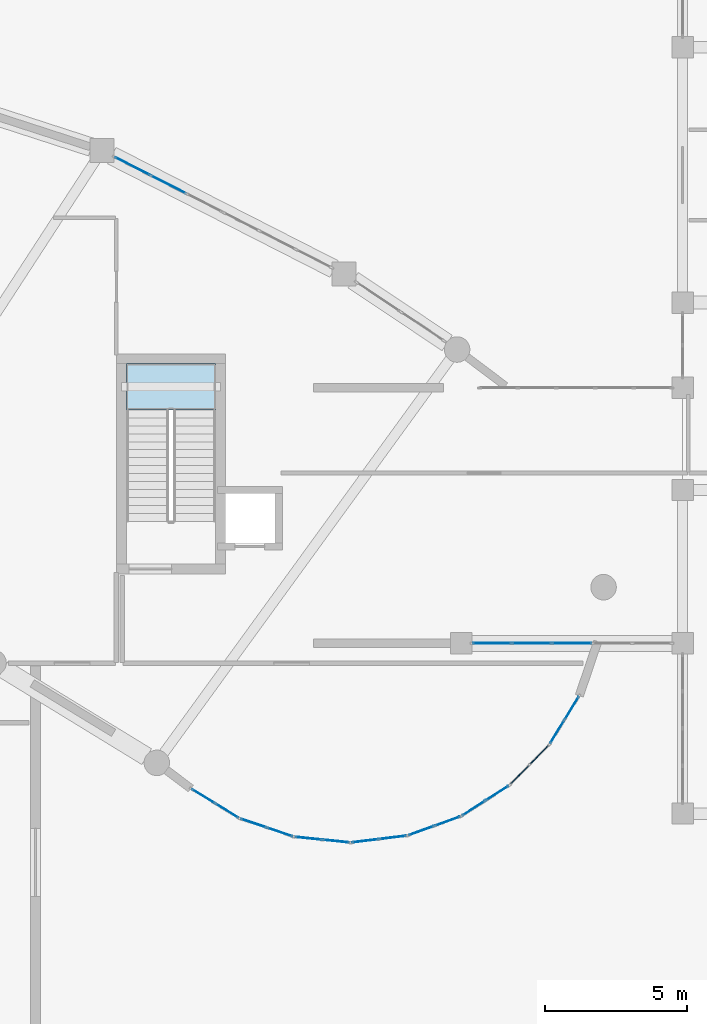
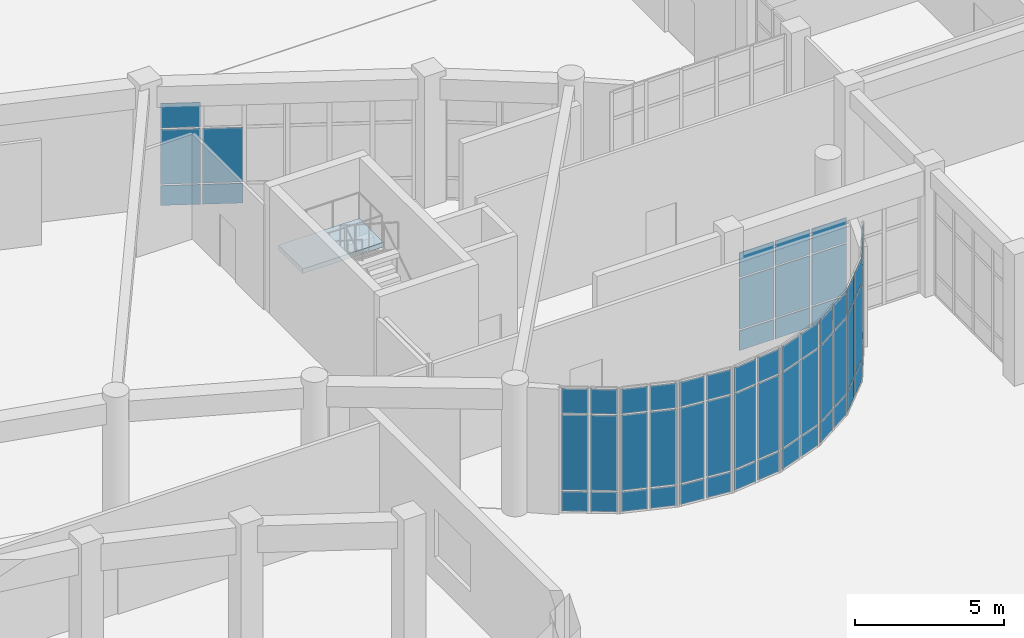
# One storey, part 40 of 70: 62 plates, 1 slab, 11 elements without a shape of their own.
"""IFC4 building model written with IfcOpenShell, lengths in metres."""

import ifcopenshell
import ifcopenshell.guid

model = None  # the IFC model being written
_history = None  # IfcOwnerHistory: only IFC2X3 demands one
_inside = {}  # id of a spatial element -> (the spatial element, [elements in it])
_under = {}  # id of a project, library or spatial element -> (it, [spatial elements below it])
_declared = {}  # id of a project -> (the project, [libraries it declares])
_typed = {}  # id of a type object -> (the type object, [elements of that type])
_made_of = {}  # id of a material, layer set ... -> (it, [elements and type objects made of it])


def new_model(schema):
    """Start an empty IFC model of exactly this schema.

    Asked for "IFC4X3", IfcOpenShell would pick the latest addendum, in which some entities
    have other attributes; the version numbers below select the first issue.
    IFC2X3 requires an IfcOwnerHistory on every rooted entity: one is made here for all.
    """
    global model, _history
    if schema == "IFC4X3":
        model = ifcopenshell.file(schema_version=(4, 3, 0, 0))
    else:
        model = ifcopenshell.file(schema=schema)
    _inside.clear()
    _under.clear()
    _declared.clear()
    _typed.clear()
    _made_of.clear()
    _history = None
    if model.schema == "IFC2X3":
        org = make("IfcOrganization", Name="unknown")
        user = make(
            "IfcPersonAndOrganization",
            ThePerson=make("IfcPerson", FamilyName="unknown"),
            TheOrganization=org,
        )
        app = make(
            "IfcApplication",
            ApplicationDeveloper=org,
            Version="unknown",
            ApplicationFullName="unknown",
            ApplicationIdentifier="unknown",
        )
        _history = make(
            "IfcOwnerHistory",
            OwningUser=user,
            OwningApplication=app,
            ChangeAction="ADDED",
            CreationDate=0,
        )
    return model


def make(cls, **values):
    """One entity of the class cls with the attributes given. An attribute that is None is left unset."""
    return model.create_entity(
        cls, **{name: value for name, value in values.items() if value is not None}
    )


def rooted(cls, **values):
    """An entity with a GlobalId (a new one), such as an element, a storey or a relation."""
    return make(cls, GlobalId=ifcopenshell.guid.new(), OwnerHistory=_history, **values)


def si_unit(unit_type, name, prefix=None):
    """IfcSIUnit, for example si_unit("LENGTHUNIT", "METRE", prefix="MILLI")."""
    return make("IfcSIUnit", UnitType=unit_type, Prefix=prefix, Name=name)


def assignment(units):
    """IfcUnitAssignment: the units of a project."""
    return None if units is None else make("IfcUnitAssignment", Units=units)


def point(xyz):
    """IfcCartesianPoint."""
    return None if xyz is None else make("IfcCartesianPoint", Coordinates=xyz)


def direction(xyz):
    """IfcDirection."""
    return None if xyz is None else make("IfcDirection", DirectionRatios=xyz)


def frame(location, z_axis=None, x_axis=None):
    """IfcAxis2Placement3D, a coordinate frame: its origin and axes. An axis left out is left unset."""
    return make(
        "IfcAxis2Placement3D",
        Location=point(location),
        Axis=direction(z_axis),
        RefDirection=direction(x_axis),
    )


def frame_2d(location, x_axis=None):
    """IfcAxis2Placement2D, a coordinate frame in the plane: its origin and x axis."""
    return make(
        "IfcAxis2Placement2D", Location=point(location), RefDirection=direction(x_axis)
    )


def origin():
    """The frame at (0, 0, 0) with its axes left unset."""
    return frame((0.0, 0.0, 0.0))


def origin_2d():
    """The frame at (0, 0) in the plane with its x axis left unset."""
    return frame_2d((0.0, 0.0))


def place(relative_to, where):
    """IfcLocalPlacement: puts the frame where relative to a parent placement (None: the world)."""
    return make(
        "IfcLocalPlacement", PlacementRelTo=relative_to, RelativePlacement=where
    )


def context(
    kind, dimensions, precision=None, world=None, true_north=None, identifier=None
):
    """IfcGeometricRepresentationContext, for example the 3D "Model" context."""
    return make(
        "IfcGeometricRepresentationContext",
        ContextIdentifier=identifier,
        ContextType=kind,
        CoordinateSpaceDimension=dimensions,
        Precision=precision,
        WorldCoordinateSystem=world,
        TrueNorth=true_north,
    )


def subcontext(parent, identifier, kind, view, scale=None):
    """IfcGeometricRepresentationSubContext, for example "Body" below "Model"."""
    return make(
        "IfcGeometricRepresentationSubContext",
        ContextIdentifier=identifier,
        ContextType=kind,
        ParentContext=parent,
        TargetScale=scale,
        TargetView=view,
    )


def project(units=None, contexts=None):
    """IfcProject with its units and contexts."""
    return rooted(
        "IfcProject",
        Name="project",
        RepresentationContexts=contexts,
        UnitsInContext=assignment(units),
    )


def spatial(cls, under=None, at=None, **own):
    """A site, building, storey or space (cls), placed at a placement, below another one or the project."""
    s = rooted(cls, ObjectPlacement=at, **own)
    if under is not None:
        _under.setdefault(under.id(), (under, []))[1].append(s)
    return s


def polyline(points):
    """IfcPolyline through the points."""
    return make("IfcPolyline", Points=[point(p) for p in points])


def profile(cls, at=None, kind="AREA", **sizes):
    """A parametric profile (cls). Its sizes go by their IFC names, for example OverallWidth=200.0."""
    return make(cls, ProfileType=kind, Position=at, **sizes)


def rectangle(**sizes):
    """IfcRectangleProfileDef."""
    return profile("IfcRectangleProfileDef", **sizes)


def outline(outer, holes=None, kind="AREA"):
    """IfcArbitraryClosedProfileDef: a profile drawn as a closed curve; with holes, ...WithVoids."""
    if holes is None:
        return make("IfcArbitraryClosedProfileDef", ProfileType=kind, OuterCurve=outer)
    return make(
        "IfcArbitraryProfileDefWithVoids",
        ProfileType=kind,
        OuterCurve=outer,
        InnerCurves=holes,
    )


def extrude(swept, where, along, depth):
    """IfcExtrudedAreaSolid: the profile swept, set in the frame where, extruded along a direction by depth."""
    return make(
        "IfcExtrudedAreaSolid",
        SweptArea=swept,
        Position=where,
        ExtrudedDirection=direction(along),
        Depth=depth,
    )


def shape(context_of_items, identifier, shape_type, items):
    """IfcShapeRepresentation: the items that make up one representation, for example the "Body"."""
    return make(
        "IfcShapeRepresentation",
        ContextOfItems=context_of_items,
        RepresentationIdentifier=identifier,
        RepresentationType=shape_type,
        Items=items,
    )


def material(Name=None, Category=None):
    """IfcMaterial."""
    return make("IfcMaterial", Name=Name, Category=Category)


def layer(
    of_material, thickness, ventilated=None, Name=None, Category=None, Priority=None
):
    """IfcMaterialLayer: one layer of a wall or slab, of a material (None: an air gap)."""
    return make(
        "IfcMaterialLayer",
        Material=of_material,
        LayerThickness=thickness,
        IsVentilated=ventilated,
        Name=Name,
        Category=Category,
        Priority=Priority,
    )


def layer_set(layers, Name=None):
    """IfcMaterialLayerSet."""
    return make("IfcMaterialLayerSet", MaterialLayers=layers, LayerSetName=Name)


def made_of(thing, what):
    """Note that an element or type object is made of a material, layer set ...; save() writes the relation."""
    if what is not None:
        _made_of.setdefault(what.id(), (what, []))[1].append(thing)
    return thing


def type_object(cls, material=None, **own):
    """A type object (cls), such as IfcWallType, which elements share."""
    return made_of(rooted(cls, **own), material)


def element(
    cls,
    number,
    at=None,
    inside=None,
    cuts=None,
    type_object=None,
    material=None,
    context=None,
    identifier="Body",
    shape_type=None,
    held_by="IfcProductDefinitionShape",
    body=None,
    shapes=None,
    **own,
):
    """One element of the class cls, such as IfcWall. Its Tag is "e" and its number.

    at: its placement. inside: the storey or other place that contains it. cuts: it is an
    opening in that element (IfcRelVoidsElement). A single representation is given by context,
    identifier, shape_type and body (its items); several are given by shapes. held_by: the class
    of the entity that holds the representations. save() writes the other relations.
    """
    e = rooted(cls, Tag="e%d" % number, ObjectPlacement=at, **own)
    if body is not None:
        shapes = [shape(context, identifier, shape_type, body)]
    if shapes is not None:
        e.Representation = make(held_by, Representations=shapes)
    if inside is not None:
        _inside.setdefault(inside.id(), (inside, []))[1].append(e)
    if cuts is not None:
        rooted(
            "IfcRelVoidsElement", RelatingBuildingElement=cuts, RelatedOpeningElement=e
        )
    if type_object is not None:
        _typed.setdefault(type_object.id(), (type_object, []))[1].append(e)
    return made_of(e, material)


def aggregate(whole, parts):
    """IfcRelAggregates: a whole, such as a stair, and the parts it consists of."""
    return rooted("IfcRelAggregates", RelatingObject=whole, RelatedObjects=parts)


def save(model, path):
    """Write the relations noted so far, then the file.

    IfcRelAggregates (storeys below a building ...), IfcRelContainedInSpatialStructure (elements
    in a storey), IfcRelDefinesByType, IfcRelAssociatesMaterial and IfcRelDeclares: one each for
    every whole, place, type object, material and project.
    """
    for whole, parts in _under.values():
        aggregate(whole, parts)
    for where, things in _inside.values():
        rooted(
            "IfcRelContainedInSpatialStructure",
            RelatedElements=things,
            RelatingStructure=where,
        )
    for kind, things in _typed.values():
        rooted("IfcRelDefinesByType", RelatedObjects=things, RelatingType=kind)
    for what, things in _made_of.values():
        rooted("IfcRelAssociatesMaterial", RelatedObjects=things, RelatingMaterial=what)
    for by, libraries in _declared.values():
        rooted("IfcRelDeclares", RelatingContext=by, RelatedDefinitions=libraries)
    model.write(path)


model = new_model("IFC4")

# Units and contexts
model_context = context("Model", 3, precision=1e-05, world=origin(), true_north=direction((0.0, 1.0)))
body_context = subcontext(model_context, "Body", "Model", "MODEL_VIEW")
ifc_project = project(units=[si_unit("LENGTHUNIT", "METRE"), si_unit("AREAUNIT", "SQUARE_METRE"), si_unit("VOLUMEUNIT", "CUBIC_METRE"), si_unit("PLANEANGLEUNIT", "RADIAN"), si_unit("MASSUNIT", "GRAM", prefix="KILO")], contexts=[model_context])

# Site, building, storey
site_placement = place(None, origin())
site = spatial("IfcSite", under=ifc_project, at=site_placement, CompositionType="ELEMENT")
building_placement = place(site_placement, origin())
building = spatial("IfcBuilding", under=site, at=building_placement, Name="Miralva Faculty of Natural Sciences", CompositionType="ELEMENT")
storey_placement = place(building_placement, origin())
storey = spatial("IfcBuildingStorey", under=building, at=storey_placement, Name="L00", CompositionType="ELEMENT", Elevation=0.0)

# Curtain wall, plates
ifc_material_1 = material(Name="Laminated solar-control glass", Category="glass")
ifc_layer_1 = layer(ifc_material_1, 0.179931640625, Name="CW-ARC-L00")
ifc_layer_set_1 = layer_set([ifc_layer_1], Name="Laminated solar-control glass")
curtain_wall_type_1 = type_object("IfcCurtainWallType", Name="CW-ARC-L00", PredefinedType="USERDEFINED", material=ifc_layer_set_1)
curtain_wall_1_placement = place(storey_placement, origin())
curtain_wall_1 = element("IfcCurtainWall", 1, at=curtain_wall_1_placement, inside=storey, type_object=curtain_wall_type_1, Name="Curtain wall CW-01 L00-9", ObjectType="UNITISED CURTAIN WALL", PredefinedType="USERDEFINED")
ifc_layer_2 = layer(ifc_material_1, 0.028076171875, Name="PNL-P01")
ifc_layer_set_2 = layer_set([ifc_layer_2], Name="Laminated solar-control glass")
plate_type = type_object("IfcPlateType", Name="PNL-P01", PredefinedType="CURTAIN_PANEL", material=ifc_layer_set_2)
plate_1_placement = place(storey_placement, frame((114.4140625, 34.811279296875, 0.06005859375), z_axis=(0.0, 0.0, 1.0), x_axis=(0.89101812581, -0.453967729556, 0.0)))
plate_1 = element("IfcPlate", 2, at=plate_1_placement, type_object=plate_type, Name="CW-01 panel 1.1", PredefinedType="CURTAIN_PANEL", context=body_context, shape_type="SweptSolid", body=[
    extrude(rectangle(XDim=1.3427734375, YDim=0.028076171875, at=origin_2d()), origin(), (0.0, 0.0, 1.0), 0.81005859375),
])
plate_2_placement = place(storey_placement, frame((114.4140625, 34.811279296875, 0.929931640625), z_axis=(0.0, 0.0, 1.0), x_axis=(0.89101812581, -0.453967729556, 0.0)))
plate_2 = element("IfcPlate", 3, at=plate_2_placement, type_object=plate_type, Name="CW-01 panel 1.2", PredefinedType="CURTAIN_PANEL", context=body_context, shape_type="SweptSolid", body=[
    extrude(rectangle(XDim=1.3427734375, YDim=0.028076171875, at=origin_2d()), origin(), (0.0, 0.0, 1.0), 2.2451171875),
])
plate_3_placement = place(storey_placement, frame((114.4140625, 34.811279296875, 3.23486328125), z_axis=(0.0, 0.0, 1.0), x_axis=(0.89101812581, -0.453967729556, 0.0)))
plate_3 = element("IfcPlate", 4, at=plate_3_placement, type_object=plate_type, Name="CW-01 panel 1.3", PredefinedType="CURTAIN_PANEL", context=body_context, shape_type="SweptSolid", body=[
    extrude(rectangle(XDim=1.3427734375, YDim=0.028076171875, at=origin_2d()), origin(), (0.0, 0.0, 1.0), 1.010009765625),
])
plate_4_placement = place(storey_placement, frame((115.68310546875, 34.164794921875, 0.06005859375), z_axis=(0.0, 0.0, 1.0), x_axis=(0.89101812581, -0.453967729556, 0.0)))
plate_4 = element("IfcPlate", 5, at=plate_4_placement, type_object=plate_type, Name="CW-01 panel 2.1", PredefinedType="CURTAIN_PANEL", context=body_context, shape_type="SweptSolid", body=[
    extrude(rectangle(XDim=1.375244140625, YDim=0.028076171875, at=origin_2d()), origin(), (0.0, 0.0, 1.0), 0.81005859375),
])
plate_5_placement = place(storey_placement, frame((115.68310546875, 34.164794921875, 0.929931640625), z_axis=(0.0, 0.0, 1.0), x_axis=(0.89101812581, -0.453967729556, 0.0)))
plate_5 = element("IfcPlate", 6, at=plate_5_placement, type_object=plate_type, Name="CW-01 panel 2.2", PredefinedType="CURTAIN_PANEL", context=body_context, shape_type="SweptSolid", body=[
    extrude(rectangle(XDim=1.375244140625, YDim=0.028076171875, at=origin_2d()), origin(), (0.0, 0.0, 1.0), 2.2451171875),
])
aggregate(curtain_wall_1, [plate_1, plate_2, plate_3, plate_4, plate_5])

ifc_layer_3 = layer(ifc_material_1, 0.179931640625, Name="CW-RND-L00")
ifc_layer_set_3 = layer_set([ifc_layer_3], Name="Laminated solar-control glass")
curtain_wall_type_2 = type_object("IfcCurtainWallType", Name="CW-RND-L00", PredefinedType="USERDEFINED", material=ifc_layer_set_3)
curtain_wall_2_placement = place(storey_placement, origin())
curtain_wall_2 = element("IfcCurtainWall", 7, at=curtain_wall_2_placement, inside=storey, type_object=curtain_wall_type_2, Name="Curtain wall CW-04 L00-21", ObjectType="UNITISED CURTAIN WALL", PredefinedType="USERDEFINED")
plate_6_placement = place(storey_placement, frame((129.37939453125, 14.8798828125, 0.06005859375), z_axis=(0.0, 0.0, 1.0), x_axis=(0.523550543884, 0.851994617353, 0.0)))
plate_6 = element("IfcPlate", 8, at=plate_6_placement, type_object=plate_type, Name="CW-04 panel 1.1", PredefinedType="CURTAIN_PANEL", context=body_context, shape_type="SweptSolid", body=[
    extrude(rectangle(XDim=0.91259765625, YDim=0.028076171875, at=origin_2d()), origin(), (0.0, 0.0, 1.0), 0.81005859375),
])
plate_7_placement = place(storey_placement, frame((129.37939453125, 14.8798828125, 0.93017578125), z_axis=(0.0, 0.0, 1.0), x_axis=(0.523550543884, 0.851994617353, 0.0)))
plate_7 = element("IfcPlate", 9, at=plate_7_placement, type_object=plate_type, Name="CW-04 panel 1.2", PredefinedType="CURTAIN_PANEL", context=body_context, shape_type="SweptSolid", body=[
    extrude(rectangle(XDim=0.91259765625, YDim=0.028076171875, at=origin_2d()), origin(), (0.0, 0.0, 1.0), 3.090087890625),
])
plate_8_placement = place(storey_placement, frame((129.37939453125, 14.8798828125, 4.080078125), z_axis=(0.0, 0.0, 1.0), x_axis=(0.523550543884, 0.851994617353, 0.0)))
plate_8 = element("IfcPlate", 10, at=plate_8_placement, type_object=plate_type, Name="CW-04 panel 1.3", PredefinedType="CURTAIN_PANEL", context=body_context, shape_type="SweptSolid", body=[
    extrude(rectangle(XDim=0.91259765625, YDim=0.028076171875, at=origin_2d()), origin(), (0.0, 0.0, 1.0), 1.010009765625),
])
plate_9_placement = place(storey_placement, frame((129.891357421875, 15.712890625, 0.06005859375), z_axis=(0.0, 0.0, 1.0), x_axis=(0.523550543884, 0.851994617353, 0.0)))
plate_9 = element("IfcPlate", 11, at=plate_9_placement, type_object=plate_type, Name="CW-04 panel 2.1", PredefinedType="CURTAIN_PANEL", context=body_context, shape_type="SweptSolid", body=[
    extrude(rectangle(XDim=0.91259765625, YDim=0.028076171875, at=origin_2d()), origin(), (0.0, 0.0, 1.0), 0.81005859375),
])
plate_10_placement = place(storey_placement, frame((129.891357421875, 15.712890625, 0.93017578125), z_axis=(0.0, 0.0, 1.0), x_axis=(0.523550543884, 0.851994617353, 0.0)))
plate_10 = element("IfcPlate", 12, at=plate_10_placement, type_object=plate_type, Name="CW-04 panel 2.2", PredefinedType="CURTAIN_PANEL", context=body_context, shape_type="SweptSolid", body=[
    extrude(rectangle(XDim=0.91259765625, YDim=0.028076171875, at=origin_2d()), origin(), (0.0, 0.0, 1.0), 3.090087890625),
])
plate_11_placement = place(storey_placement, frame((129.891357421875, 15.712890625, 4.080078125), z_axis=(0.0, 0.0, 1.0), x_axis=(0.523550543884, 0.851994617353, 0.0)))
plate_11 = element("IfcPlate", 13, at=plate_11_placement, type_object=plate_type, Name="CW-04 panel 2.3", PredefinedType="CURTAIN_PANEL", context=body_context, shape_type="SweptSolid", body=[
    extrude(rectangle(XDim=0.91259765625, YDim=0.028076171875, at=origin_2d()), origin(), (0.0, 0.0, 1.0), 1.010009765625),
])
aggregate(curtain_wall_2, [plate_6, plate_7, plate_8, plate_9, plate_10, plate_11])

curtain_wall_3_placement = place(storey_placement, origin())
curtain_wall_3 = element("IfcCurtainWall", 14, at=curtain_wall_3_placement, inside=storey, type_object=curtain_wall_type_2, Name="Curtain wall CW-04 L00-22", ObjectType="UNITISED CURTAIN WALL", PredefinedType="USERDEFINED")
plate_12_placement = place(storey_placement, frame((128.060546875, 13.36865234375, 0.06005859375), z_axis=(0.0, 0.0, 1.0), x_axis=(0.700018458929, 0.714124749017, 0.0)))
plate_12 = element("IfcPlate", 15, at=plate_12_placement, type_object=plate_type, Name="CW-04 panel 1.1", PredefinedType="CURTAIN_PANEL", context=body_context, shape_type="SweptSolid", body=[
    extrude(rectangle(XDim=0.91259765625, YDim=0.028076171875, at=origin_2d()), origin(), (0.0, 0.0, 1.0), 0.81005859375),
])
plate_13_placement = place(storey_placement, frame((128.060546875, 13.36865234375, 0.93017578125), z_axis=(0.0, 0.0, 1.0), x_axis=(0.700018458929, 0.714124749017, 0.0)))
plate_13 = element("IfcPlate", 16, at=plate_13_placement, type_object=plate_type, Name="CW-04 panel 1.2", PredefinedType="CURTAIN_PANEL", context=body_context, shape_type="SweptSolid", body=[
    extrude(rectangle(XDim=0.91259765625, YDim=0.028076171875, at=origin_2d()), origin(), (0.0, 0.0, 1.0), 3.090087890625),
])
plate_14_placement = place(storey_placement, frame((128.060546875, 13.36865234375, 4.080078125), z_axis=(0.0, 0.0, 1.0), x_axis=(0.700018458929, 0.714124749017, 0.0)))
plate_14 = element("IfcPlate", 17, at=plate_14_placement, type_object=plate_type, Name="CW-04 panel 1.3", PredefinedType="CURTAIN_PANEL", context=body_context, shape_type="SweptSolid", body=[
    extrude(rectangle(XDim=0.91259765625, YDim=0.028076171875, at=origin_2d()), origin(), (0.0, 0.0, 1.0), 1.010009765625),
])
plate_15_placement = place(storey_placement, frame((128.7451171875, 14.06689453125, 0.06005859375), z_axis=(0.0, 0.0, 1.0), x_axis=(0.700018458929, 0.714124749017, 0.0)))
plate_15 = element("IfcPlate", 18, at=plate_15_placement, type_object=plate_type, Name="CW-04 panel 2.1", PredefinedType="CURTAIN_PANEL", context=body_context, shape_type="SweptSolid", body=[
    extrude(rectangle(XDim=0.91259765625, YDim=0.028076171875, at=origin_2d()), origin(), (0.0, 0.0, 1.0), 0.81005859375),
])
plate_16_placement = place(storey_placement, frame((128.7451171875, 14.06689453125, 0.93017578125), z_axis=(0.0, 0.0, 1.0), x_axis=(0.700018458929, 0.714124749017, 0.0)))
plate_16 = element("IfcPlate", 19, at=plate_16_placement, type_object=plate_type, Name="CW-04 panel 2.2", PredefinedType="CURTAIN_PANEL", context=body_context, shape_type="SweptSolid", body=[
    extrude(rectangle(XDim=0.91259765625, YDim=0.028076171875, at=origin_2d()), origin(), (0.0, 0.0, 1.0), 3.090087890625),
])
plate_17_placement = place(storey_placement, frame((128.7451171875, 14.06689453125, 4.080078125), z_axis=(0.0, 0.0, 1.0), x_axis=(0.700018458929, 0.714124749017, 0.0)))
plate_17 = element("IfcPlate", 20, at=plate_17_placement, type_object=plate_type, Name="CW-04 panel 2.3", PredefinedType="CURTAIN_PANEL", context=body_context, shape_type="SweptSolid", body=[
    extrude(rectangle(XDim=0.91259765625, YDim=0.028076171875, at=origin_2d()), origin(), (0.0, 0.0, 1.0), 1.010009765625),
])
aggregate(curtain_wall_3, [plate_12, plate_13, plate_14, plate_15, plate_16, plate_17])

curtain_wall_4_placement = place(storey_placement, origin())
curtain_wall_4 = element("IfcCurtainWall", 21, at=curtain_wall_4_placement, inside=storey, type_object=curtain_wall_type_2, Name="Curtain wall CW-04 L00-23", ObjectType="UNITISED CURTAIN WALL", PredefinedType="USERDEFINED")
plate_18_placement = place(storey_placement, frame((126.438720703125, 12.18896484375, 0.06005859375), z_axis=(0.0, 0.0, 1.0), x_axis=(0.841379438185, 0.540444854725, 0.0)))
plate_18 = element("IfcPlate", 22, at=plate_18_placement, type_object=plate_type, Name="CW-04 panel 1.1", PredefinedType="CURTAIN_PANEL", context=body_context, shape_type="SweptSolid", body=[
    extrude(rectangle(XDim=0.91259765625, YDim=0.028076171875, at=origin_2d()), origin(), (0.0, 0.0, 1.0), 0.81005859375),
])
plate_19_placement = place(storey_placement, frame((126.438720703125, 12.18896484375, 0.93017578125), z_axis=(0.0, 0.0, 1.0), x_axis=(0.841379438185, 0.540444854725, 0.0)))
plate_19 = element("IfcPlate", 23, at=plate_19_placement, type_object=plate_type, Name="CW-04 panel 1.2", PredefinedType="CURTAIN_PANEL", context=body_context, shape_type="SweptSolid", body=[
    extrude(rectangle(XDim=0.91259765625, YDim=0.028076171875, at=origin_2d()), origin(), (0.0, 0.0, 1.0), 3.090087890625),
])
plate_20_placement = place(storey_placement, frame((126.438720703125, 12.18896484375, 4.080078125), z_axis=(0.0, 0.0, 1.0), x_axis=(0.841379438185, 0.540444854725, 0.0)))
plate_20 = element("IfcPlate", 24, at=plate_20_placement, type_object=plate_type, Name="CW-04 panel 1.3", PredefinedType="CURTAIN_PANEL", context=body_context, shape_type="SweptSolid", body=[
    extrude(rectangle(XDim=0.91259765625, YDim=0.028076171875, at=origin_2d()), origin(), (0.0, 0.0, 1.0), 1.010009765625),
])
plate_21_placement = place(storey_placement, frame((127.26123046875, 12.71728515625, 0.06005859375), z_axis=(0.0, 0.0, 1.0), x_axis=(0.841379438185, 0.540444854725, 0.0)))
plate_21 = element("IfcPlate", 25, at=plate_21_placement, type_object=plate_type, Name="CW-04 panel 2.1", PredefinedType="CURTAIN_PANEL", context=body_context, shape_type="SweptSolid", body=[
    extrude(rectangle(XDim=0.91259765625, YDim=0.028076171875, at=origin_2d()), origin(), (0.0, 0.0, 1.0), 0.81005859375),
])
plate_22_placement = place(storey_placement, frame((127.26123046875, 12.71728515625, 0.93017578125), z_axis=(0.0, 0.0, 1.0), x_axis=(0.841379438185, 0.540444854725, 0.0)))
plate_22 = element("IfcPlate", 26, at=plate_22_placement, type_object=plate_type, Name="CW-04 panel 2.2", PredefinedType="CURTAIN_PANEL", context=body_context, shape_type="SweptSolid", body=[
    extrude(rectangle(XDim=0.91259765625, YDim=0.028076171875, at=origin_2d()), origin(), (0.0, 0.0, 1.0), 3.090087890625),
])
plate_23_placement = place(storey_placement, frame((127.26123046875, 12.71728515625, 4.080078125), z_axis=(0.0, 0.0, 1.0), x_axis=(0.841379438185, 0.540444854725, 0.0)))
plate_23 = element("IfcPlate", 27, at=plate_23_placement, type_object=plate_type, Name="CW-04 panel 2.3", PredefinedType="CURTAIN_PANEL", context=body_context, shape_type="SweptSolid", body=[
    extrude(rectangle(XDim=0.91259765625, YDim=0.028076171875, at=origin_2d()), origin(), (0.0, 0.0, 1.0), 1.010009765625),
])
aggregate(curtain_wall_4, [plate_18, plate_19, plate_20, plate_21, plate_22, plate_23])

curtain_wall_5_placement = place(storey_placement, origin())
curtain_wall_5 = element("IfcCurtainWall", 28, at=curtain_wall_5_placement, inside=storey, type_object=curtain_wall_type_2, Name="Curtain wall CW-04 L00-24", ObjectType="UNITISED CURTAIN WALL", PredefinedType="USERDEFINED")
plate_24_placement = place(storey_placement, frame((124.5947265625, 11.399658203125, 0.06005859375), z_axis=(0.0, 0.0, 1.0), x_axis=(0.940535451088, 0.339695547876, 0.0)))
plate_24 = element("IfcPlate", 29, at=plate_24_placement, type_object=plate_type, Name="CW-04 panel 1.1", PredefinedType="CURTAIN_PANEL", context=body_context, shape_type="SweptSolid", body=[
    extrude(rectangle(XDim=0.91259765625, YDim=0.028076171875, at=origin_2d()), origin(), (0.0, 0.0, 1.0), 0.81005859375),
])
plate_25_placement = place(storey_placement, frame((124.5947265625, 11.399658203125, 0.93017578125), z_axis=(0.0, 0.0, 1.0), x_axis=(0.940535451088, 0.339695547876, 0.0)))
plate_25 = element("IfcPlate", 30, at=plate_25_placement, type_object=plate_type, Name="CW-04 panel 1.2", PredefinedType="CURTAIN_PANEL", context=body_context, shape_type="SweptSolid", body=[
    extrude(rectangle(XDim=0.91259765625, YDim=0.028076171875, at=origin_2d()), origin(), (0.0, 0.0, 1.0), 3.090087890625),
])
plate_26_placement = place(storey_placement, frame((124.5947265625, 11.399658203125, 4.080078125), z_axis=(0.0, 0.0, 1.0), x_axis=(0.940535451088, 0.339695547876, 0.0)))
plate_26 = element("IfcPlate", 31, at=plate_26_placement, type_object=plate_type, Name="CW-04 panel 1.3", PredefinedType="CURTAIN_PANEL", context=body_context, shape_type="SweptSolid", body=[
    extrude(rectangle(XDim=0.91259765625, YDim=0.028076171875, at=origin_2d()), origin(), (0.0, 0.0, 1.0), 1.010009765625),
])
plate_27_placement = place(storey_placement, frame((125.514404296875, 11.731689453125, 0.06005859375), z_axis=(0.0, 0.0, 1.0), x_axis=(0.940535451088, 0.339695547876, 0.0)))
plate_27 = element("IfcPlate", 32, at=plate_27_placement, type_object=plate_type, Name="CW-04 panel 2.1", PredefinedType="CURTAIN_PANEL", context=body_context, shape_type="SweptSolid", body=[
    extrude(rectangle(XDim=0.91259765625, YDim=0.028076171875, at=origin_2d()), origin(), (0.0, 0.0, 1.0), 0.81005859375),
])
plate_28_placement = place(storey_placement, frame((125.514404296875, 11.731689453125, 0.93017578125), z_axis=(0.0, 0.0, 1.0), x_axis=(0.940535451088, 0.339695547876, 0.0)))
plate_28 = element("IfcPlate", 33, at=plate_28_placement, type_object=plate_type, Name="CW-04 panel 2.2", PredefinedType="CURTAIN_PANEL", context=body_context, shape_type="SweptSolid", body=[
    extrude(rectangle(XDim=0.91259765625, YDim=0.028076171875, at=origin_2d()), origin(), (0.0, 0.0, 1.0), 3.090087890625),
])
plate_29_placement = place(storey_placement, frame((125.514404296875, 11.731689453125, 4.080078125), z_axis=(0.0, 0.0, 1.0), x_axis=(0.940535451088, 0.339695547876, 0.0)))
plate_29 = element("IfcPlate", 34, at=plate_29_placement, type_object=plate_type, Name="CW-04 panel 2.3", PredefinedType="CURTAIN_PANEL", context=body_context, shape_type="SweptSolid", body=[
    extrude(rectangle(XDim=0.91259765625, YDim=0.028076171875, at=origin_2d()), origin(), (0.0, 0.0, 1.0), 1.010009765625),
])
aggregate(curtain_wall_5, [plate_24, plate_25, plate_26, plate_27, plate_28, plate_29])

curtain_wall_6_placement = place(storey_placement, origin())
curtain_wall_6 = element("IfcCurtainWall", 35, at=curtain_wall_6_placement, inside=storey, type_object=curtain_wall_type_2, Name="Curtain wall CW-04 L00-25", ObjectType="UNITISED CURTAIN WALL", PredefinedType="USERDEFINED")
plate_30_placement = place(storey_placement, frame((122.62158203125, 11.04052734375, 0.06005859375), z_axis=(0.0, 0.0, 1.0), x_axis=(0.99254734183, 0.121859649701, 0.0)))
plate_30 = element("IfcPlate", 36, at=plate_30_placement, type_object=plate_type, Name="CW-04 panel 1.1", PredefinedType="CURTAIN_PANEL", context=body_context, shape_type="SweptSolid", body=[
    extrude(rectangle(XDim=0.91259765625, YDim=0.028076171875, at=origin_2d()), origin(), (0.0, 0.0, 1.0), 0.81005859375),
])
plate_31_placement = place(storey_placement, frame((122.62158203125, 11.04052734375, 0.93017578125), z_axis=(0.0, 0.0, 1.0), x_axis=(0.99254734183, 0.121859649701, 0.0)))
plate_31 = element("IfcPlate", 37, at=plate_31_placement, type_object=plate_type, Name="CW-04 panel 1.2", PredefinedType="CURTAIN_PANEL", context=body_context, shape_type="SweptSolid", body=[
    extrude(rectangle(XDim=0.91259765625, YDim=0.028076171875, at=origin_2d()), origin(), (0.0, 0.0, 1.0), 3.090087890625),
])
plate_32_placement = place(storey_placement, frame((122.62158203125, 11.04052734375, 4.080078125), z_axis=(0.0, 0.0, 1.0), x_axis=(0.99254734183, 0.121859649701, 0.0)))
plate_32 = element("IfcPlate", 38, at=plate_32_placement, type_object=plate_type, Name="CW-04 panel 1.3", PredefinedType="CURTAIN_PANEL", context=body_context, shape_type="SweptSolid", body=[
    extrude(rectangle(XDim=0.91259765625, YDim=0.028076171875, at=origin_2d()), origin(), (0.0, 0.0, 1.0), 1.010009765625),
])
plate_33_placement = place(storey_placement, frame((123.592041015625, 11.15966796875, 0.06005859375), z_axis=(0.0, 0.0, 1.0), x_axis=(0.99254734183, 0.121859649701, 0.0)))
plate_33 = element("IfcPlate", 39, at=plate_33_placement, type_object=plate_type, Name="CW-04 panel 2.1", PredefinedType="CURTAIN_PANEL", context=body_context, shape_type="SweptSolid", body=[
    extrude(rectangle(XDim=0.91259765625, YDim=0.028076171875, at=origin_2d()), origin(), (0.0, 0.0, 1.0), 0.81005859375),
])
plate_34_placement = place(storey_placement, frame((123.592041015625, 11.15966796875, 0.93017578125), z_axis=(0.0, 0.0, 1.0), x_axis=(0.99254734183, 0.121859649701, 0.0)))
plate_34 = element("IfcPlate", 40, at=plate_34_placement, type_object=plate_type, Name="CW-04 panel 2.2", PredefinedType="CURTAIN_PANEL", context=body_context, shape_type="SweptSolid", body=[
    extrude(rectangle(XDim=0.91259765625, YDim=0.028076171875, at=origin_2d()), origin(), (0.0, 0.0, 1.0), 3.090087890625),
])
plate_35_placement = place(storey_placement, frame((123.592041015625, 11.15966796875, 4.080078125), z_axis=(0.0, 0.0, 1.0), x_axis=(0.99254734183, 0.121859649701, 0.0)))
plate_35 = element("IfcPlate", 41, at=plate_35_placement, type_object=plate_type, Name="CW-04 panel 2.3", PredefinedType="CURTAIN_PANEL", context=body_context, shape_type="SweptSolid", body=[
    extrude(rectangle(XDim=0.91259765625, YDim=0.028076171875, at=origin_2d()), origin(), (0.0, 0.0, 1.0), 1.010009765625),
])
aggregate(curtain_wall_6, [plate_30, plate_31, plate_32, plate_33, plate_34, plate_35])

curtain_wall_7_placement = place(storey_placement, origin())
curtain_wall_7 = element("IfcCurtainWall", 42, at=curtain_wall_7_placement, inside=storey, type_object=curtain_wall_type_2, Name="Curtain wall CW-04 L00-26", ObjectType="UNITISED CURTAIN WALL", PredefinedType="USERDEFINED")
plate_36_placement = place(storey_placement, frame((120.617919921875, 11.12939453125, 0.06005859375), z_axis=(0.0, 0.0, 1.0), x_axis=(0.994778604482, -0.102056494477, 0.0)))
plate_36 = element("IfcPlate", 43, at=plate_36_placement, type_object=plate_type, Name="CW-04 panel 1.1", PredefinedType="CURTAIN_PANEL", context=body_context, shape_type="SweptSolid", body=[
    extrude(rectangle(XDim=0.912841796875, YDim=0.028076171875, at=origin_2d()), origin(), (0.0, 0.0, 1.0), 0.81005859375),
])
plate_37_placement = place(storey_placement, frame((120.617919921875, 11.12939453125, 0.93017578125), z_axis=(0.0, 0.0, 1.0), x_axis=(0.994778604482, -0.102056494477, 0.0)))
plate_37 = element("IfcPlate", 44, at=plate_37_placement, type_object=plate_type, Name="CW-04 panel 1.2", PredefinedType="CURTAIN_PANEL", context=body_context, shape_type="SweptSolid", body=[
    extrude(rectangle(XDim=0.912841796875, YDim=0.028076171875, at=origin_2d()), origin(), (0.0, 0.0, 1.0), 3.090087890625),
])
plate_38_placement = place(storey_placement, frame((120.617919921875, 11.12939453125, 4.080078125), z_axis=(0.0, 0.0, 1.0), x_axis=(0.994778604482, -0.102056494477, 0.0)))
plate_38 = element("IfcPlate", 45, at=plate_38_placement, type_object=plate_type, Name="CW-04 panel 1.3", PredefinedType="CURTAIN_PANEL", context=body_context, shape_type="SweptSolid", body=[
    extrude(rectangle(XDim=0.912841796875, YDim=0.028076171875, at=origin_2d()), origin(), (0.0, 0.0, 1.0), 1.010009765625),
])
plate_39_placement = place(storey_placement, frame((121.590576171875, 11.02978515625, 0.06005859375), z_axis=(0.0, 0.0, 1.0), x_axis=(0.994778604482, -0.102056494477, 0.0)))
plate_39 = element("IfcPlate", 46, at=plate_39_placement, type_object=plate_type, Name="CW-04 panel 2.1", PredefinedType="CURTAIN_PANEL", context=body_context, shape_type="SweptSolid", body=[
    extrude(rectangle(XDim=0.912841796875, YDim=0.028076171875, at=origin_2d()), origin(), (0.0, 0.0, 1.0), 0.81005859375),
])
plate_40_placement = place(storey_placement, frame((121.590576171875, 11.02978515625, 0.93017578125), z_axis=(0.0, 0.0, 1.0), x_axis=(0.994778604482, -0.102056494477, 0.0)))
plate_40 = element("IfcPlate", 47, at=plate_40_placement, type_object=plate_type, Name="CW-04 panel 2.2", PredefinedType="CURTAIN_PANEL", context=body_context, shape_type="SweptSolid", body=[
    extrude(rectangle(XDim=0.912841796875, YDim=0.028076171875, at=origin_2d()), origin(), (0.0, 0.0, 1.0), 3.090087890625),
])
plate_41_placement = place(storey_placement, frame((121.590576171875, 11.02978515625, 4.080078125), z_axis=(0.0, 0.0, 1.0), x_axis=(0.994778604482, -0.102056494477, 0.0)))
plate_41 = element("IfcPlate", 48, at=plate_41_placement, type_object=plate_type, Name="CW-04 panel 2.3", PredefinedType="CURTAIN_PANEL", context=body_context, shape_type="SweptSolid", body=[
    extrude(rectangle(XDim=0.912841796875, YDim=0.028076171875, at=origin_2d()), origin(), (0.0, 0.0, 1.0), 1.010009765625),
])
aggregate(curtain_wall_7, [plate_36, plate_37, plate_38, plate_39, plate_40, plate_41])

curtain_wall_8_placement = place(storey_placement, origin())
curtain_wall_8 = element("IfcCurtainWall", 49, at=curtain_wall_8_placement, inside=storey, type_object=curtain_wall_type_2, Name="Curtain wall CW-04 L00-27", ObjectType="UNITISED CURTAIN WALL", PredefinedType="USERDEFINED")
plate_42_placement = place(storey_placement, frame((118.684326171875, 11.662109375, 0.06005859375), z_axis=(0.0, 0.0, 1.0), x_axis=(0.947132688672, -0.320842126361, 0.0)))
plate_42 = element("IfcPlate", 50, at=plate_42_placement, type_object=plate_type, Name="CW-04 panel 1.1", PredefinedType="CURTAIN_PANEL", context=body_context, shape_type="SweptSolid", body=[
    extrude(rectangle(XDim=0.91259765625, YDim=0.028076171875, at=origin_2d()), origin(), (0.0, 0.0, 1.0), 0.81005859375),
])
plate_43_placement = place(storey_placement, frame((118.684326171875, 11.662109375, 0.93017578125), z_axis=(0.0, 0.0, 1.0), x_axis=(0.947132688672, -0.320842126361, 0.0)))
plate_43 = element("IfcPlate", 51, at=plate_43_placement, type_object=plate_type, Name="CW-04 panel 1.2", PredefinedType="CURTAIN_PANEL", context=body_context, shape_type="SweptSolid", body=[
    extrude(rectangle(XDim=0.91259765625, YDim=0.028076171875, at=origin_2d()), origin(), (0.0, 0.0, 1.0), 3.090087890625),
])
plate_44_placement = place(storey_placement, frame((118.684326171875, 11.662109375, 4.080078125), z_axis=(0.0, 0.0, 1.0), x_axis=(0.947132688672, -0.320842126361, 0.0)))
plate_44 = element("IfcPlate", 52, at=plate_44_placement, type_object=plate_type, Name="CW-04 panel 1.3", PredefinedType="CURTAIN_PANEL", context=body_context, shape_type="SweptSolid", body=[
    extrude(rectangle(XDim=0.91259765625, YDim=0.028076171875, at=origin_2d()), origin(), (0.0, 0.0, 1.0), 1.010009765625),
])
plate_45_placement = place(storey_placement, frame((119.6103515625, 11.348388671875, 0.06005859375), z_axis=(0.0, 0.0, 1.0), x_axis=(0.947132688672, -0.320842126361, 0.0)))
plate_45 = element("IfcPlate", 53, at=plate_45_placement, type_object=plate_type, Name="CW-04 panel 2.1", PredefinedType="CURTAIN_PANEL", context=body_context, shape_type="SweptSolid", body=[
    extrude(rectangle(XDim=0.91259765625, YDim=0.028076171875, at=origin_2d()), origin(), (0.0, 0.0, 1.0), 0.81005859375),
])
plate_46_placement = place(storey_placement, frame((119.6103515625, 11.348388671875, 0.93017578125), z_axis=(0.0, 0.0, 1.0), x_axis=(0.947132688672, -0.320842126361, 0.0)))
plate_46 = element("IfcPlate", 54, at=plate_46_placement, type_object=plate_type, Name="CW-04 panel 2.2", PredefinedType="CURTAIN_PANEL", context=body_context, shape_type="SweptSolid", body=[
    extrude(rectangle(XDim=0.91259765625, YDim=0.028076171875, at=origin_2d()), origin(), (0.0, 0.0, 1.0), 3.090087890625),
])
plate_47_placement = place(storey_placement, frame((119.6103515625, 11.348388671875, 4.080078125), z_axis=(0.0, 0.0, 1.0), x_axis=(0.947132688672, -0.320842126361, 0.0)))
plate_47 = element("IfcPlate", 55, at=plate_47_placement, type_object=plate_type, Name="CW-04 panel 2.3", PredefinedType="CURTAIN_PANEL", context=body_context, shape_type="SweptSolid", body=[
    extrude(rectangle(XDim=0.91259765625, YDim=0.028076171875, at=origin_2d()), origin(), (0.0, 0.0, 1.0), 1.010009765625),
])
aggregate(curtain_wall_8, [plate_42, plate_43, plate_44, plate_45, plate_46, plate_47])

curtain_wall_9_placement = place(storey_placement, origin())
curtain_wall_9 = element("IfcCurtainWall", 56, at=curtain_wall_9_placement, inside=storey, type_object=curtain_wall_type_2, Name="Curtain wall CW-04 L00-28", ObjectType="UNITISED CURTAIN WALL", PredefinedType="USERDEFINED")
plate_48_placement = place(storey_placement, frame((116.914306640625, 12.613525390625, 0.06005859375), z_axis=(0.0, 0.0, 1.0), x_axis=(0.852003943693, -0.523535366458, 0.0)))
plate_48 = element("IfcPlate", 57, at=plate_48_placement, type_object=plate_type, Name="CW-04 panel 1.1", PredefinedType="CURTAIN_PANEL", context=body_context, shape_type="SweptSolid", body=[
    extrude(rectangle(XDim=0.915283203125, YDim=0.028076171875, at=origin_2d()), origin(), (0.0, 0.0, 1.0), 0.81005859375),
])
plate_49_placement = place(storey_placement, frame((116.914306640625, 12.613525390625, 0.93017578125), z_axis=(0.0, 0.0, 1.0), x_axis=(0.852003943693, -0.523535366458, 0.0)))
plate_49 = element("IfcPlate", 58, at=plate_49_placement, type_object=plate_type, Name="CW-04 panel 1.2", PredefinedType="CURTAIN_PANEL", context=body_context, shape_type="SweptSolid", body=[
    extrude(rectangle(XDim=0.915283203125, YDim=0.028076171875, at=origin_2d()), origin(), (0.0, 0.0, 1.0), 3.090087890625),
])
plate_50_placement = place(storey_placement, frame((116.914306640625, 12.613525390625, 4.080078125), z_axis=(0.0, 0.0, 1.0), x_axis=(0.852003943693, -0.523535366458, 0.0)))
plate_50 = element("IfcPlate", 59, at=plate_50_placement, type_object=plate_type, Name="CW-04 panel 1.3", PredefinedType="CURTAIN_PANEL", context=body_context, shape_type="SweptSolid", body=[
    extrude(rectangle(XDim=0.915283203125, YDim=0.028076171875, at=origin_2d()), origin(), (0.0, 0.0, 1.0), 1.010009765625),
])
plate_51_placement = place(storey_placement, frame((117.74951171875, 12.100341796875, 0.06005859375), z_axis=(0.0, 0.0, 1.0), x_axis=(0.852003943693, -0.523535366458, 0.0)))
plate_51 = element("IfcPlate", 60, at=plate_51_placement, type_object=plate_type, Name="CW-04 panel 2.1", PredefinedType="CURTAIN_PANEL", context=body_context, shape_type="SweptSolid", body=[
    extrude(rectangle(XDim=0.915283203125, YDim=0.028076171875, at=origin_2d()), origin(), (0.0, 0.0, 1.0), 0.81005859375),
])
plate_52_placement = place(storey_placement, frame((117.74951171875, 12.100341796875, 0.93017578125), z_axis=(0.0, 0.0, 1.0), x_axis=(0.852003943693, -0.523535366458, 0.0)))
plate_52 = element("IfcPlate", 61, at=plate_52_placement, type_object=plate_type, Name="CW-04 panel 2.2", PredefinedType="CURTAIN_PANEL", context=body_context, shape_type="SweptSolid", body=[
    extrude(rectangle(XDim=0.915283203125, YDim=0.028076171875, at=origin_2d()), origin(), (0.0, 0.0, 1.0), 3.090087890625),
])
plate_53_placement = place(storey_placement, frame((117.74951171875, 12.100341796875, 4.080078125), z_axis=(0.0, 0.0, 1.0), x_axis=(0.852003943693, -0.523535366458, 0.0)))
plate_53 = element("IfcPlate", 62, at=plate_53_placement, type_object=plate_type, Name="CW-04 panel 2.3", PredefinedType="CURTAIN_PANEL", context=body_context, shape_type="SweptSolid", body=[
    extrude(rectangle(XDim=0.915283203125, YDim=0.028076171875, at=origin_2d()), origin(), (0.0, 0.0, 1.0), 1.010009765625),
])
aggregate(curtain_wall_9, [plate_48, plate_49, plate_50, plate_51, plate_52, plate_53])

ifc_layer_4 = layer(ifc_material_1, 0.179931640625, Name="CW-COM-L01")
ifc_layer_set_4 = layer_set([ifc_layer_4], Name="Laminated solar-control glass")
curtain_wall_type_3 = type_object("IfcCurtainWallType", Name="CW-COM-L01", PredefinedType="USERDEFINED", material=ifc_layer_set_4)
curtain_wall_10_placement = place(storey_placement, origin())
curtain_wall_10 = element("IfcCurtainWall", 63, at=curtain_wall_10_placement, inside=storey, type_object=curtain_wall_type_3, Name="Curtain wall CW-10 L00-284", ObjectType="UNITISED CURTAIN WALL", PredefinedType="USERDEFINED")
plate_54_placement = place(storey_placement, frame((127.087890625, 18.0, 0.06005859375), z_axis=(0.0, 0.0, 1.0), x_axis=(1.0, 0.0, 0.0)))
plate_54 = element("IfcPlate", 64, at=plate_54_placement, type_object=plate_type, Name="CW-10 panel 1.1", PredefinedType="CURTAIN_PANEL", context=body_context, shape_type="SweptSolid", body=[
    extrude(rectangle(XDim=1.325927734375, YDim=0.028076171875, at=origin_2d()), origin(), (0.0, 0.0, 1.0), 0.81005859375),
])
plate_55_placement = place(storey_placement, frame((127.087890625, 18.0, 0.93017578125), z_axis=(0.0, 0.0, 1.0), x_axis=(1.0, 0.0, 0.0)))
plate_55 = element("IfcPlate", 65, at=plate_55_placement, type_object=plate_type, Name="CW-10 panel 1.2", PredefinedType="CURTAIN_PANEL", context=body_context, shape_type="SweptSolid", body=[
    extrude(rectangle(XDim=1.325927734375, YDim=0.028076171875, at=origin_2d()), origin(), (0.0, 0.0, 1.0), 2.074951171875),
])
plate_56_placement = place(storey_placement, frame((127.087890625, 18.0, 3.06494140625), z_axis=(0.0, 0.0, 1.0), x_axis=(1.0, 0.0, 0.0)))
plate_56 = element("IfcPlate", 66, at=plate_56_placement, type_object=plate_type, Name="CW-10 panel 1.3", PredefinedType="CURTAIN_PANEL", context=body_context, shape_type="SweptSolid", body=[
    extrude(rectangle(XDim=1.325927734375, YDim=0.028076171875, at=origin_2d()), origin(), (0.0, 0.0, 1.0), 1.010009765625),
])
plate_57_placement = place(storey_placement, frame((128.489013671875, 18.0, 0.06005859375), z_axis=(0.0, 0.0, 1.0), x_axis=(1.0, 0.0, 0.0)))
plate_57 = element("IfcPlate", 67, at=plate_57_placement, type_object=plate_type, Name="CW-10 panel 2.1", PredefinedType="CURTAIN_PANEL", context=body_context, shape_type="SweptSolid", body=[
    extrude(rectangle(XDim=1.35595703125, YDim=0.028076171875, at=origin_2d()), origin(), (0.0, 0.0, 1.0), 0.81005859375),
])
plate_58_placement = place(storey_placement, frame((128.489013671875, 18.0, 0.93017578125), z_axis=(0.0, 0.0, 1.0), x_axis=(1.0, 0.0, 0.0)))
plate_58 = element("IfcPlate", 68, at=plate_58_placement, type_object=plate_type, Name="CW-10 panel 2.2", PredefinedType="CURTAIN_PANEL", context=body_context, shape_type="SweptSolid", body=[
    extrude(rectangle(XDim=1.35595703125, YDim=0.028076171875, at=origin_2d()), origin(), (0.0, 0.0, 1.0), 2.074951171875),
])
plate_59_placement = place(storey_placement, frame((128.489013671875, 18.0, 3.06494140625), z_axis=(0.0, 0.0, 1.0), x_axis=(1.0, 0.0, 0.0)))
plate_59 = element("IfcPlate", 69, at=plate_59_placement, type_object=plate_type, Name="CW-10 panel 2.3", PredefinedType="CURTAIN_PANEL", context=body_context, shape_type="SweptSolid", body=[
    extrude(rectangle(XDim=1.35595703125, YDim=0.028076171875, at=origin_2d()), origin(), (0.0, 0.0, 1.0), 1.010009765625),
])
plate_60_placement = place(storey_placement, frame((129.905029296875, 18.0, 0.06005859375), z_axis=(0.0, 0.0, 1.0), x_axis=(1.0, 0.0, 0.0)))
plate_60 = element("IfcPlate", 70, at=plate_60_placement, type_object=plate_type, Name="CW-10 panel 3.1", PredefinedType="CURTAIN_PANEL", context=body_context, shape_type="SweptSolid", body=[
    extrude(rectangle(XDim=1.35595703125, YDim=0.028076171875, at=origin_2d()), origin(), (0.0, 0.0, 1.0), 0.81005859375),
])
plate_61_placement = place(storey_placement, frame((129.905029296875, 18.0, 0.93017578125), z_axis=(0.0, 0.0, 1.0), x_axis=(1.0, 0.0, 0.0)))
plate_61 = element("IfcPlate", 71, at=plate_61_placement, type_object=plate_type, Name="CW-10 panel 3.2", PredefinedType="CURTAIN_PANEL", context=body_context, shape_type="SweptSolid", body=[
    extrude(rectangle(XDim=1.35595703125, YDim=0.028076171875, at=origin_2d()), origin(), (0.0, 0.0, 1.0), 2.074951171875),
])
plate_62_placement = place(storey_placement, frame((129.905029296875, 18.0, 3.06494140625), z_axis=(0.0, 0.0, 1.0), x_axis=(1.0, 0.0, 0.0)))
plate_62 = element("IfcPlate", 72, at=plate_62_placement, type_object=plate_type, Name="CW-10 panel 3.3", PredefinedType="CURTAIN_PANEL", context=body_context, shape_type="SweptSolid", body=[
    extrude(rectangle(XDim=1.35595703125, YDim=0.028076171875, at=origin_2d()), origin(), (0.0, 0.0, 1.0), 1.010009765625),
])
aggregate(curtain_wall_10, [plate_54, plate_55, plate_56, plate_57, plate_58, plate_59, plate_60, plate_61, plate_62])

# Stair, slab
ifc_material_2 = material(Name="Concrete C40/50", Category="concrete")
stair_type = type_object("IfcStairType", Name="ST-CORE-540", PredefinedType="HALF_TURN_STAIR", material=ifc_material_2)
stair_placement = place(storey_placement, origin())
stair = element("IfcStair", 73, at=stair_placement, inside=storey, type_object=stair_type, Name="Exit Stair Core C3 (ST-01) L00", PredefinedType="HALF_TURN_STAIR")
ifc_layer_5 = layer(ifc_material_2, 0.18994140625, Name="SL-LD01")
ifc_layer_set_5 = layer_set([ifc_layer_5], Name="Concrete C40/50")
slab_type = type_object("IfcSlabType", Name="SL-LD01", PredefinedType="LANDING", material=ifc_layer_set_5)
slab_placement = place(storey_placement, frame((0.0, 0.0, 2.510009765625)))
slab = element("IfcSlab", 74, at=slab_placement, type_object=slab_type, Name="ST-01 landing 1", PredefinedType="LANDING", context=body_context, shape_type="SweptSolid", body=[
    extrude(outline(polyline([(117.35009765625, 26.219970703125), (117.35009765625, 27.85009765625), (114.199951171875, 27.85009765625), (114.199951171875, 26.219970703125), (117.35009765625, 26.219970703125)])), origin(), (0.0, 0.0, 1.0), 0.18994140625),
])
aggregate(stair, [slab])

save(model, "model.ifc")
